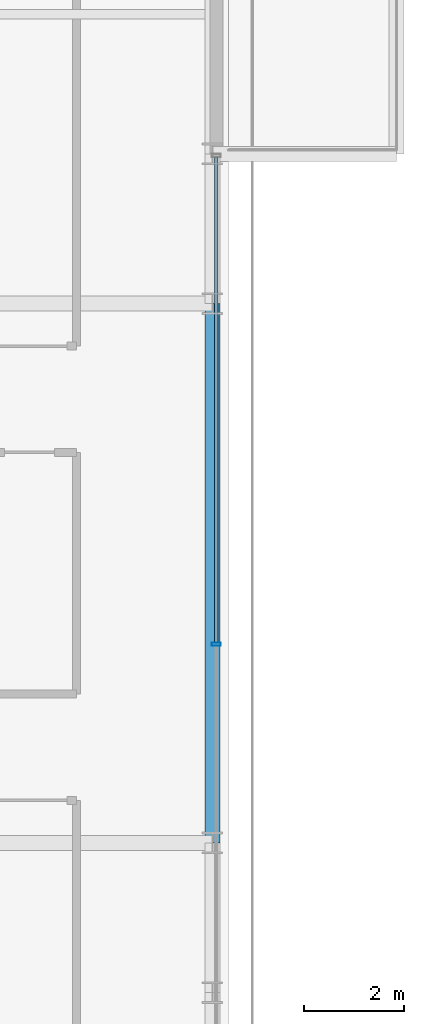
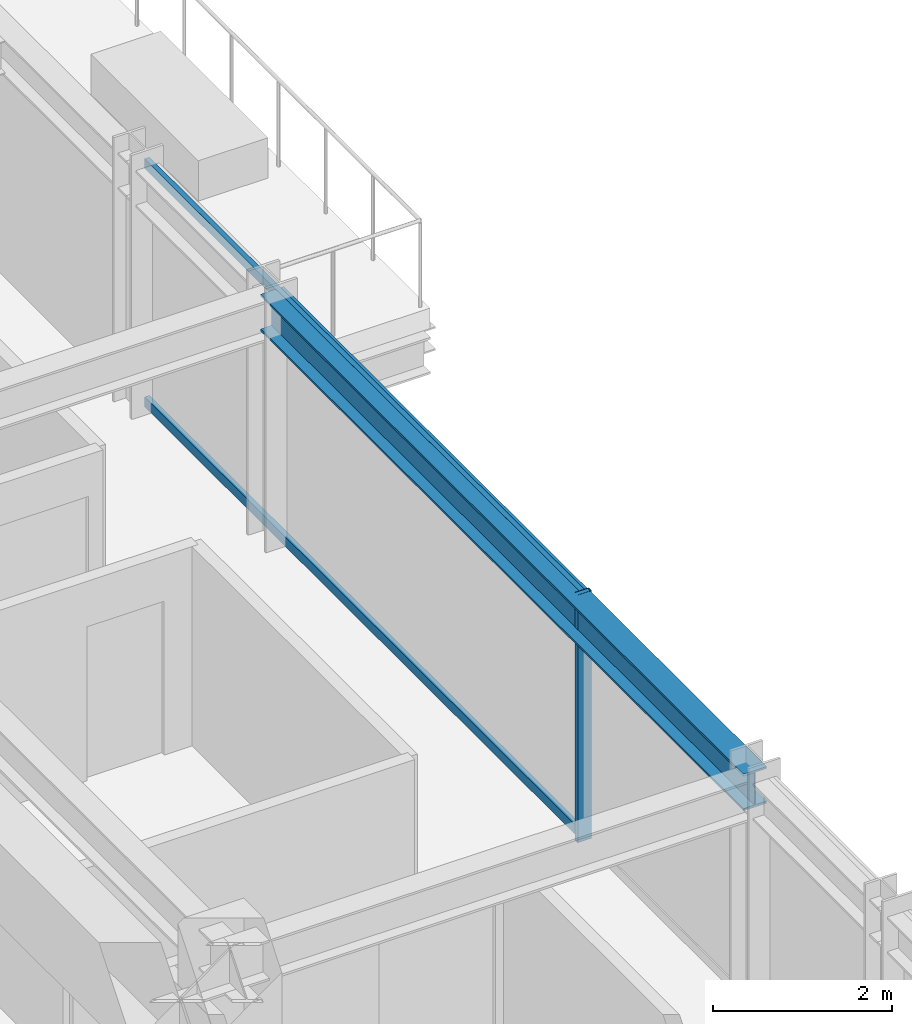
# One storey, part 16 of 34: 3 members, 1 beam, 1 element without a shape of its own.
"""IFC4 building model written with IfcOpenShell, lengths in metres."""

from ifc_helpers import new_model, si_unit, direction, frame, origin, origin_2d, place, context, subcontext, project, spatial, hollow_rectangle, i_section, extrude, source, transform, mapped, material, material_profile, profile_set, type_object, element, aggregate, save


model = new_model("IFC4")

# Units and contexts
model_context = context("Model", 3, precision=1e-05, world=origin(), true_north=direction((0.0, 1.0)))
body_context = subcontext(model_context, "Body", "Model", "MODEL_VIEW")
ifc_project = project(units=[si_unit("LENGTHUNIT", "METRE"), si_unit("AREAUNIT", "SQUARE_METRE"), si_unit("VOLUMEUNIT", "CUBIC_METRE"), si_unit("PLANEANGLEUNIT", "RADIAN"), si_unit("MASSUNIT", "GRAM", prefix="KILO")], contexts=[model_context])

# Site, building, storey
site_placement = place(None, origin())
site = spatial("IfcSite", under=ifc_project, at=site_placement, CompositionType="ELEMENT")
building_placement = place(site_placement, origin())
building = spatial("IfcBuilding", under=site, at=building_placement, Name="Nahalor Promenade Grand Hotel", CompositionType="ELEMENT")
storey_placement = place(building_placement, frame((0.0, 0.0, 88.300048828125)))
storey = spatial("IfcBuildingStorey", under=building, at=storey_placement, Name="L21", CompositionType="ELEMENT", Elevation=88.300048828125)

# Beam
ifc_material_1 = material(Name="Steel S355JR", Category="steel")
ifc_material_profile_1 = material_profile(ifc_material_1, i_section(OverallWidth=0.3, OverallDepth=0.5, WebThickness=0.0145, FlangeThickness=0.028, at=origin_2d()), Name="HEB 500")
ifc_profile_set_1 = profile_set([ifc_material_profile_1], Name="Steel S355JR")
beam_type = type_object("IfcBeamType", Name="Beam-Spandrel-HEB500", PredefinedType="SPANDREL", material=ifc_profile_set_1)
shared_shape_1 = source(origin(), body_context, "Body", "SweptSolid", [
    extrude(i_section(OverallWidth=0.3, OverallDepth=0.5, WebThickness=0.0145, FlangeThickness=0.028, at=origin_2d()), origin(), (0.0, 0.0, 1.0), 10.7998046875),
])
beam_placement = place(storey_placement, frame((23.780029296875, -5.39990234375, 3.1298828125), z_axis=(0.0, 1.0, 0.0), x_axis=(-1.0, 0.0, 0.0)))
element("IfcBeam", 1, at=beam_placement, inside=storey, type_object=beam_type, Name="BM-L21-SP-E-2", PredefinedType="SPANDREL", context=body_context, shape_type="MappedRepresentation", body=[
    mapped(shared_shape_1, transform((0.0, 0.0, 0.0), scale=1.0)),
])

# Curtain wall, members
ifc_material_2 = material(Name="Anodised Bronze Aluminium EN AW-6063 T6", Category="aluminium")
curtain_wall_type = type_object("IfcCurtainWallType", Name="CW2 Typical Hotel Flush Bronze Unitised Curtain Wall", PredefinedType="USERDEFINED", material=ifc_material_2)
curtain_wall_placement = place(storey_placement, origin())
curtain_wall = element("IfcCurtainWall", 2, at=curtain_wall_placement, inside=storey, type_object=curtain_wall_type, Name="L21 Curtain Wall CW-L21-E-1", ObjectType="UNITISED_CURTAIN_WALL", PredefinedType="USERDEFINED")
ifc_material_profile_2 = material_profile(ifc_material_2, hollow_rectangle(XDim=0.065, YDim=0.18, WallThickness=0.004, at=origin_2d()), Name="CWM 65x180x4")
ifc_profile_set_2 = profile_set([ifc_material_profile_2], Name="Anodised Bronze Aluminium EN AW-6063 T6")
member_type_1 = type_object("IfcMemberType", Name="CWM2 Typical Bronze Mullion 65x180", PredefinedType="MULLION", material=ifc_profile_set_2)
shared_shape_2 = source(origin(), body_context, "Body", "SweptSolid", [
    extrude(hollow_rectangle(XDim=0.065, YDim=0.18, WallThickness=0.004, at=origin_2d()), origin(), (0.0, 0.0, 1.0), 3.3798828125),
])
member_1_placement = place(storey_placement, frame((23.860107421875, -1.419921875, 0.0), z_axis=(0.0, 0.0, 1.0), x_axis=(0.0, 1.0, 0.0)))
member_1 = element("IfcMember", 3, at=member_1_placement, type_object=member_type_1, Name="CW-L21-E-1 Mullion 2", PredefinedType="MULLION", context=body_context, shape_type="MappedRepresentation", body=[
    mapped(shared_shape_2, transform((0.0, 0.0, 0.0), scale=1.0)),
])
ifc_material_profile_3 = material_profile(ifc_material_2, hollow_rectangle(XDim=0.065, YDim=0.13, WallThickness=0.004, at=origin_2d()), Name="CWT 65x130x4")
ifc_profile_set_3 = profile_set([ifc_material_profile_3], Name="Anodised Bronze Aluminium EN AW-6063 T6")
member_type_2 = type_object("IfcMemberType", Name="CWT2 Typical Bronze Transom 65x130", PredefinedType="USERDEFINED", material=ifc_profile_set_3)
shared_shape_3 = source(origin(), body_context, "Body", "SweptSolid", [
    extrude(hollow_rectangle(XDim=0.065, YDim=0.13, WallThickness=0.004, at=origin_2d()), origin(), (0.0, 0.0, 1.0), 9.722412109375),
])
member_2_placement = place(storey_placement, frame((23.860107421875, -1.387451171875, 0.06494140625), z_axis=(0.0, 1.0, 0.0), x_axis=(-1.0, 0.0, 0.0)))
member_2 = element("IfcMember", 4, at=member_2_placement, type_object=member_type_2, Name="CW-L21-E-1 Transom 2-0", ObjectType="TRANSOM", PredefinedType="USERDEFINED", context=body_context, shape_type="MappedRepresentation", body=[
    mapped(shared_shape_3, transform((0.0, 0.0, 0.0), scale=1.0)),
])
member_3_placement = place(storey_placement, frame((23.860107421875, -1.387451171875, 3.31494140625), z_axis=(0.0, 1.0, 0.0), x_axis=(-1.0, 0.0, 0.0)))
member_3 = element("IfcMember", 5, at=member_3_placement, type_object=member_type_2, Name="CW-L21-E-1 Transom 2-1", ObjectType="TRANSOM", PredefinedType="USERDEFINED", context=body_context, shape_type="MappedRepresentation", body=[
    mapped(shared_shape_3, transform((0.0, 0.0, 0.0), scale=1.0)),
])
aggregate(curtain_wall, [member_1, member_2, member_3])

save(model, "model.ifc")
